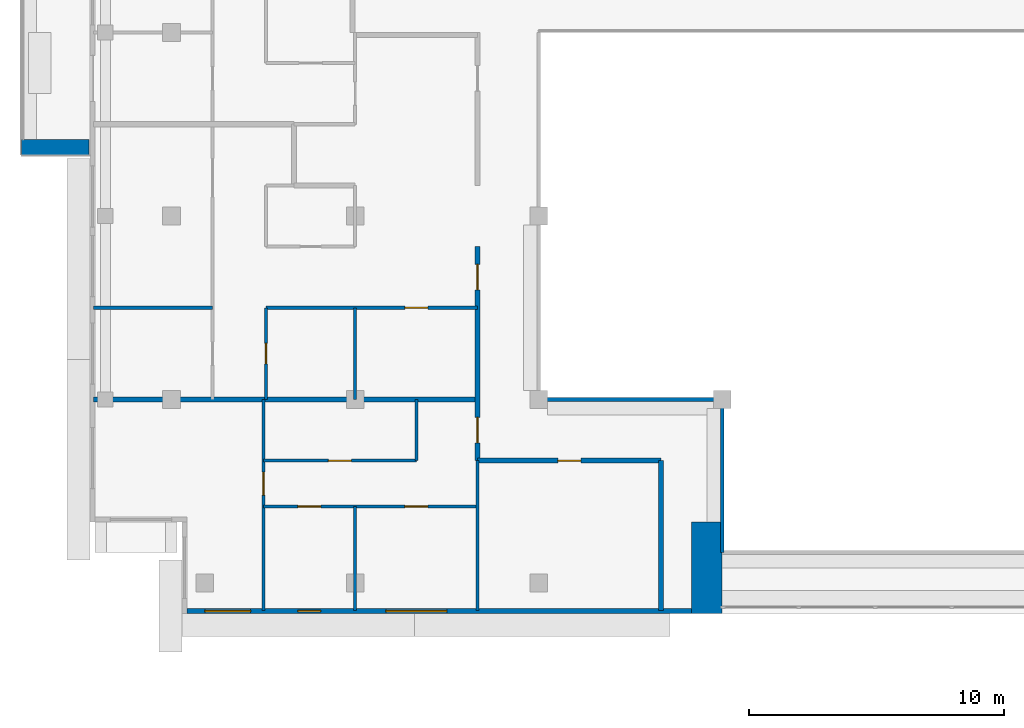
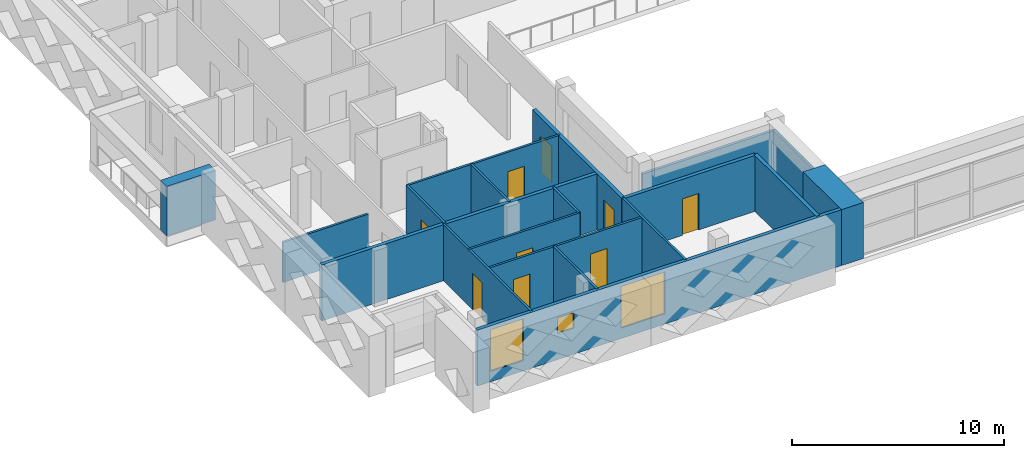
# One storey, part 6 of 19: 19 walls, 9 doors, 3 windows, 12 openings.
"""IFC4 building model written with IfcOpenShell, lengths in metres."""

from ifc_helpers import new_model, si_unit, direction, frame, frame_2d, origin, place, context, subcontext, project, spatial, rectangle, extrude, material, layer, layer_set, type_object, element, fill, save


model = new_model("IFC4")

# Units and contexts
model_context = context("Model", 3, precision=1e-05, world=origin(), true_north=direction((0.0, 1.0)))
body_context = subcontext(model_context, "Body", "Model", "MODEL_VIEW")
ifc_project = project(units=[si_unit("LENGTHUNIT", "METRE"), si_unit("AREAUNIT", "SQUARE_METRE"), si_unit("VOLUMEUNIT", "CUBIC_METRE"), si_unit("PLANEANGLEUNIT", "RADIAN"), si_unit("MASSUNIT", "GRAM", prefix="KILO")], contexts=[model_context])

# Site, building, storey
site_placement = place(None, origin())
site = spatial("IfcSite", under=ifc_project, at=site_placement, CompositionType="ELEMENT")
building_placement = place(site_placement, origin())
building = spatial("IfcBuilding", under=site, at=building_placement, Name="Saffron Iwan Residences", CompositionType="ELEMENT")
storey_placement = place(building_placement, frame((0.0, 0.0, 253.5)))
storey = spatial("IfcBuildingStorey", under=building, at=storey_placement, Name="L68", CompositionType="ELEMENT", Elevation=253.5)

# Walls
ifc_material_1 = material(Name="Fire-rated glazing", Category="glass")
ifc_layer_1 = layer(ifc_material_1, 0.14990234375)
ifc_layer_set_1 = layer_set([ifc_layer_1], Name="Fire-rated glazing")
wall_type_1 = type_object("IfcWallType", Name="Atrium glazed screen 150", PredefinedType="SOLIDWALL", material=ifc_layer_set_1)
wall_1_placement = place(storey_placement, frame((36.0, 48.0, 0.0), z_axis=(0.0, 0.0, 1.0), x_axis=(1.0, 0.0, 0.0)))
element("IfcWall", 1, at=wall_1_placement, inside=storey, type_object=wall_type_1, Name="W-L68-SCREEN-h48-36", PredefinedType="SOLIDWALL", context=body_context, shape_type="SweptSolid", body=[
    extrude(rectangle(XDim=7.199951171875, YDim=0.14990234375, at=frame_2d((3.60009765625, 0.0))), origin(), (0.0, 0.0, 1.0), 2.320068359375),
])
wall_2_placement = place(storey_placement, frame((43.199951171875, 42.0, 0.0), z_axis=(0.0, 0.0, 1.0), x_axis=(0.0, 1.0, 0.0)))
element("IfcWall", 2, at=wall_2_placement, inside=storey, type_object=wall_type_1, Name="W-L68-SCREEN-v43.2-42", PredefinedType="SOLIDWALL", context=body_context, shape_type="SweptSolid", body=[
    extrude(rectangle(XDim=6.0, YDim=0.14990234375, at=frame_2d((3.0, 0.0))), origin(), (0.0, 0.0, 1.0), 2.320068359375),
])
ifc_material_2 = material(Name="Concrete C50/60 white painted", Category="concrete")
ifc_layer_2 = layer(ifc_material_2, 0.60009765625)
ifc_layer_set_2 = layer_set([ifc_layer_2], Name="Concrete C50/60 white painted")
wall_type_2 = type_object("IfcWallType", Name="BALCONY FIN 600", PredefinedType="SOLIDWALL", material=ifc_layer_set_2)
wall_3_placement = place(storey_placement, frame((18.35009765625, 57.89990234375, 0.0), z_axis=(0.0, 0.0, 1.0), x_axis=(-1.0, 0.0, 0.0)))
element("IfcWall", 3, at=wall_3_placement, inside=storey, type_object=wall_type_2, Name="Balcony fin L68 F8-0b", PredefinedType="SOLIDWALL", context=body_context, shape_type="SweptSolid", body=[
    extrude(rectangle(XDim=2.650146484375, YDim=0.60009765625, at=frame_2d((1.3251953125, 0.0))), origin(), (0.0, 0.0, 1.0), 2.85009765625),
])

# Wall, openings, windows
ifc_material_3 = material(Name="Concrete C40/50", Category="concrete")
ifc_layer_3 = layer(ifc_material_3, 0.199951171875)
ifc_layer_set_3 = layer_set([ifc_layer_3], Name="Concrete C40/50")
wall_type_3 = type_object("IfcWallType", Name="EXTERNAL WALL 200", PredefinedType="SOLIDWALL", material=ifc_layer_set_3)
wall_4_placement = place(storey_placement, frame((22.199951171875, 39.699951171875, 0.0), z_axis=(0.0, 0.0, 1.0), x_axis=(1.0, 0.0, 0.0)))
wall_4 = element("IfcWall", 4, at=wall_4_placement, inside=storey, type_object=wall_type_3, Name="External wall L68 F11.0", PredefinedType="SOLIDWALL", context=body_context, shape_type="SweptSolid", body=[
    extrude(rectangle(XDim=19.800048828125, YDim=0.199951171875, at=frame_2d((9.89990234375, 0.0))), origin(), (0.0, 0.0, 1.0), 3.219970703125),
])
opening_1_placement = place(wall_4_placement, frame((0.699951171875, 0.0, 0.60009765625)))
opening_1 = element("IfcOpeningElement", 5, at=opening_1_placement, cuts=wall_4, Name="Opening W8", PredefinedType="OPENING", context=body_context, shape_type="SweptSolid", body=[
    extrude(rectangle(XDim=1.800048828125, YDim=2.39990234375, at=frame_2d((0.89990234375, 1.199951171875))), frame((0.0, 0.10986328125, 0.0), z_axis=(0.0, -1.0, 0.0), x_axis=(1.0, 0.0, 0.0)), (0.0, 0.0, 1.0), 0.219970703125),
])
opening_2_placement = place(wall_4_placement, frame((4.35009765625, 0.0, 1.5)))
opening_2 = element("IfcOpeningElement", 6, at=opening_2_placement, cuts=wall_4, Name="Opening W6", PredefinedType="OPENING", context=body_context, shape_type="SweptSolid", body=[
    extrude(rectangle(XDim=0.89990234375, YDim=0.89990234375, at=frame_2d((0.449951171875, 0.449951171875))), frame((0.0, 0.10986328125, 0.0), z_axis=(0.0, -1.0, 0.0), x_axis=(1.0, 0.0, 0.0)), (0.0, 0.0, 1.0), 0.219970703125),
])
opening_3_placement = place(wall_4_placement, frame((7.800048828125, 0.0, 0.60009765625)))
opening_3 = element("IfcOpeningElement", 7, at=opening_3_placement, cuts=wall_4, Name="Opening W1", PredefinedType="OPENING", context=body_context, shape_type="SweptSolid", body=[
    extrude(rectangle(XDim=2.39990234375, YDim=2.39990234375, at=frame_2d((1.199951171875, 1.199951171875))), frame((0.0, 0.10986328125, 0.0), z_axis=(0.0, -1.0, 0.0), x_axis=(1.0, 0.0, 0.0)), (0.0, 0.0, 1.0), 0.219970703125),
])
ifc_material_4 = material(Name="Clear glass, laminated double glazed", Category="glass")
window_type_1 = type_object("IfcWindowType", Name="WINDOW 1800 x 2400", PartitioningType="DOUBLE_PANEL_VERTICAL", PredefinedType="WINDOW", material=ifc_material_4)
window_1_placement = place(opening_1_placement, origin())
window_1 = element("IfcWindow", 8, at=window_1_placement, inside=storey, type_object=window_type_1, Name="Window L68 F11.0", OverallHeight=2.39990234375, OverallWidth=1.800048828125, PartitioningType="DOUBLE_PANEL_VERTICAL", PredefinedType="WINDOW", context=body_context, shape_type="SweptSolid", body=[
    extrude(rectangle(XDim=1.800048828125, YDim=2.39990234375, at=frame_2d((0.89990234375, 1.199951171875))), frame((0.0, 0.030029296875, 0.0), z_axis=(0.0, -1.0, 0.0), x_axis=(1.0, 0.0, 0.0)), (0.0, 0.0, 1.0), 0.06005859375),
])
fill(opening_1, window_1)
window_type_2 = type_object("IfcWindowType", Name="WINDOW 2400 x 2400", PartitioningType="DOUBLE_PANEL_VERTICAL", PredefinedType="WINDOW", material=ifc_material_4)
window_2_placement = place(opening_3_placement, origin())
window_2 = element("IfcWindow", 9, at=window_2_placement, inside=storey, type_object=window_type_2, Name="Window L68 F11.2", OverallHeight=2.39990234375, OverallWidth=2.39990234375, PartitioningType="DOUBLE_PANEL_VERTICAL", PredefinedType="WINDOW", context=body_context, shape_type="SweptSolid", body=[
    extrude(rectangle(XDim=2.39990234375, YDim=2.39990234375, at=frame_2d((1.199951171875, 1.199951171875))), frame((0.0, 0.030029296875, 0.0), z_axis=(0.0, -1.0, 0.0), x_axis=(1.0, 0.0, 0.0)), (0.0, 0.0, 1.0), 0.06005859375),
])
fill(opening_3, window_2)
window_type_3 = type_object("IfcWindowType", Name="WINDOW 900 x 900 BATH", PartitioningType="SINGLE_PANEL", PredefinedType="WINDOW", material=ifc_material_4)
window_3_placement = place(opening_2_placement, origin())
window_3 = element("IfcWindow", 10, at=window_3_placement, inside=storey, type_object=window_type_3, Name="Window L68 F11.1", OverallHeight=0.89990234375, OverallWidth=0.89990234375, PartitioningType="SINGLE_PANEL", PredefinedType="WINDOW", context=body_context, shape_type="SweptSolid", body=[
    extrude(rectangle(XDim=0.89990234375, YDim=0.89990234375, at=frame_2d((0.449951171875, 0.449951171875))), frame((0.0, 0.030029296875, 0.0), z_axis=(0.0, -1.0, 0.0), x_axis=(1.0, 0.0, 0.0)), (0.0, 0.0, 1.0), 0.06005859375),
])
fill(opening_2, window_3)

# Wall
ifc_material_5 = material(Name="Fire-rated gypsum board wall")
ifc_layer_4 = layer(ifc_material_5, 0.199951171875)
ifc_layer_set_4 = layer_set([ifc_layer_4], Name="Fire-rated gypsum board wall")
wall_type_4 = type_object("IfcWallType", Name="Flat demising wall 200", PredefinedType="SOLIDWALL", material=ifc_layer_set_4)
wall_5_placement = place(storey_placement, frame((18.52490234375, 48.0, 0.0), z_axis=(0.0, 0.0, 1.0), x_axis=(1.0, 0.0, 0.0)))
element("IfcWall", 11, at=wall_5_placement, inside=storey, type_object=wall_type_4, Name="W-L68-DEMISE-h48-18.525", PredefinedType="SOLIDWALL", context=body_context, shape_type="SweptSolid", body=[
    extrude(rectangle(XDim=15.0751953125, YDim=0.199951171875, at=frame_2d((7.53759765625, 0.0))), origin(), (0.0, 0.0, 1.0), 3.219970703125),
])

# Wall, openings, doors
ifc_material_6 = material(Name="Gypsum board partition")
ifc_layer_5 = layer(ifc_material_6, 0.1201171875)
ifc_layer_set_5 = layer_set([ifc_layer_5], Name="Gypsum board partition")
wall_type_5 = type_object("IfcWallType", Name="Flat partition 120", PredefinedType="PARTITIONING", material=ifc_layer_set_5)
wall_6_placement = place(storey_placement, frame((25.199951171875, 43.800048828125, 0.0), z_axis=(0.0, 0.0, 1.0), x_axis=(1.0, 0.0, 0.0)))
wall_6 = element("IfcWall", 12, at=wall_6_placement, inside=storey, type_object=wall_type_5, Name="W-L68-PART-h43.8-25.2", PredefinedType="PARTITIONING", context=body_context, shape_type="SweptSolid", body=[
    extrude(rectangle(XDim=8.400146484375, YDim=0.1201171875, at=frame_2d((4.2001953125, 0.0))), origin(), (0.0, 0.0, 1.0), 3.219970703125),
])
opening_4_placement = place(wall_6_placement, frame((1.35009765625, 0.0, 0.0)))
opening_4 = element("IfcOpeningElement", 13, at=opening_4_placement, cuts=wall_6, Name="Opening FD2", PredefinedType="OPENING", context=body_context, shape_type="SweptSolid", body=[
    extrude(rectangle(XDim=0.89990234375, YDim=2.10009765625, at=frame_2d((0.449951171875, 1.050048828125))), frame((0.0, 0.070068359375, 0.0), z_axis=(0.0, -1.0, 0.0), x_axis=(1.0, 0.0, 0.0)), (0.0, 0.0, 1.0), 0.14013671875),
])
opening_5_placement = place(wall_6_placement, frame((5.550048828125, 0.0, 0.0)))
opening_5 = element("IfcOpeningElement", 14, at=opening_5_placement, cuts=wall_6, Name="Opening FD2", PredefinedType="OPENING", context=body_context, shape_type="SweptSolid", body=[
    extrude(rectangle(XDim=0.89990234375, YDim=2.10009765625, at=frame_2d((0.449951171875, 1.050048828125))), frame((0.0, 0.070068359375, 0.0), z_axis=(0.0, -1.0, 0.0), x_axis=(1.0, 0.0, 0.0)), (0.0, 0.0, 1.0), 0.14013671875),
])
ifc_material_7 = material(Name="Timber door", Category="wood")
door_type_1 = type_object("IfcDoorType", Name="Flat door 900", OperationType="NOTDEFINED", PredefinedType="DOOR", material=ifc_material_7)
door_1_placement = place(opening_4_placement, origin())
door_1 = element("IfcDoor", 15, at=door_1_placement, inside=storey, type_object=door_type_1, Name="Door L68-003", OperationType="SINGLE_SWING_LEFT", OverallHeight=2.10009765625, OverallWidth=0.89990234375, PredefinedType="DOOR", context=body_context, shape_type="SweptSolid", body=[
    extrude(rectangle(XDim=0.89990234375, YDim=2.10009765625, at=frame_2d((0.449951171875, 1.050048828125))), frame((0.0, 0.02490234375, 0.0), z_axis=(0.0, -1.0, 0.0), x_axis=(1.0, 0.0, 0.0)), (0.0, 0.0, 1.0), 0.050048828125),
])
fill(opening_4, door_1)
door_2_placement = place(opening_5_placement, origin())
door_2 = element("IfcDoor", 16, at=door_2_placement, inside=storey, type_object=door_type_1, Name="Door L68-004", OperationType="SINGLE_SWING_LEFT", OverallHeight=2.10009765625, OverallWidth=0.89990234375, PredefinedType="DOOR", context=body_context, shape_type="SweptSolid", body=[
    extrude(rectangle(XDim=0.89990234375, YDim=2.10009765625, at=frame_2d((0.449951171875, 1.050048828125))), frame((0.0, 0.02490234375, 0.0), z_axis=(0.0, -1.0, 0.0), x_axis=(1.0, 0.0, 0.0)), (0.0, 0.0, 1.0), 0.050048828125),
])
fill(opening_5, door_2)

# Wall, opening, door
wall_7_placement = place(storey_placement, frame((25.199951171875, 45.60009765625, 0.0), z_axis=(0.0, 0.0, 1.0), x_axis=(1.0, 0.0, 0.0)))
wall_7 = element("IfcWall", 17, at=wall_7_placement, inside=storey, type_object=wall_type_5, Name="W-L68-PART-h45.6-25.2", PredefinedType="PARTITIONING", context=body_context, shape_type="SweptSolid", body=[
    extrude(rectangle(XDim=6.0, YDim=0.1201171875, at=frame_2d((3.0, 0.0))), origin(), (0.0, 0.0, 1.0), 3.219970703125),
])
opening_6_placement = place(wall_7_placement, frame((2.550048828125, 0.0, 0.0)))
opening_6 = element("IfcOpeningElement", 18, at=opening_6_placement, cuts=wall_7, Name="Opening FD2", PredefinedType="OPENING", context=body_context, shape_type="SweptSolid", body=[
    extrude(rectangle(XDim=0.89990234375, YDim=2.10009765625, at=frame_2d((0.449951171875, 1.050048828125))), frame((0.0, 0.070068359375, 0.0), z_axis=(0.0, -1.0, 0.0), x_axis=(1.0, 0.0, 0.0)), (0.0, 0.0, 1.0), 0.14013671875),
])
door_3_placement = place(opening_6_placement, origin())
door_3 = element("IfcDoor", 19, at=door_3_placement, inside=storey, type_object=door_type_1, Name="Door L68-005", OperationType="SINGLE_SWING_RIGHT", OverallHeight=2.10009765625, OverallWidth=0.89990234375, PredefinedType="DOOR", context=body_context, shape_type="SweptSolid", body=[
    extrude(rectangle(XDim=0.89990234375, YDim=2.10009765625, at=frame_2d((0.449951171875, 1.050048828125))), frame((0.0, 0.02490234375, 0.0), z_axis=(0.0, -1.0, 0.0), x_axis=(1.0, 0.0, 0.0)), (0.0, 0.0, 1.0), 0.050048828125),
])
fill(opening_6, door_3)

# Wall
wall_8_placement = place(storey_placement, frame((18.52490234375, 51.60009765625, 0.0), z_axis=(0.0, 0.0, 1.0), x_axis=(1.0, 0.0, 0.0)))
element("IfcWall", 20, at=wall_8_placement, inside=storey, type_object=wall_type_5, Name="W-L68-PART-h51.6-18.525", PredefinedType="PARTITIONING", context=body_context, shape_type="SweptSolid", body=[
    extrude(rectangle(XDim=4.675048828125, YDim=0.1201171875, at=frame_2d((2.33740234375, 0.0))), origin(), (0.0, 0.0, 1.0), 2.320068359375),
])

# Wall, opening, door
wall_9_placement = place(storey_placement, frame((25.300048828125, 51.60009765625, 0.0), z_axis=(0.0, 0.0, 1.0), x_axis=(1.0, 0.0, 0.0)))
wall_9 = element("IfcWall", 21, at=wall_9_placement, inside=storey, type_object=wall_type_5, Name="W-L68-PART-h51.6-25.3", PredefinedType="PARTITIONING", context=body_context, shape_type="SweptSolid", body=[
    extrude(rectangle(XDim=8.300048828125, YDim=0.1201171875, at=frame_2d((4.14990234375, 0.0))), origin(), (0.0, 0.0, 1.0), 3.219970703125),
])
opening_7_placement = place(wall_9_placement, frame((5.449951171875, 0.0, 0.0)))
opening_7 = element("IfcOpeningElement", 22, at=opening_7_placement, cuts=wall_9, Name="Opening FD2", PredefinedType="OPENING", context=body_context, shape_type="SweptSolid", body=[
    extrude(rectangle(XDim=0.89990234375, YDim=2.10009765625, at=frame_2d((0.449951171875, 1.050048828125))), frame((0.0, 0.070068359375, 0.0), z_axis=(0.0, -1.0, 0.0), x_axis=(1.0, 0.0, 0.0)), (0.0, 0.0, 1.0), 0.14013671875),
])
door_4_placement = place(opening_7_placement, origin())
door_4 = element("IfcDoor", 23, at=door_4_placement, inside=storey, type_object=door_type_1, Name="Door L68-012", OperationType="SINGLE_SWING_LEFT", OverallHeight=2.10009765625, OverallWidth=0.89990234375, PredefinedType="DOOR", context=body_context, shape_type="SweptSolid", body=[
    extrude(rectangle(XDim=0.89990234375, YDim=2.10009765625, at=frame_2d((0.449951171875, 1.050048828125))), frame((0.0, 0.02490234375, 0.0), z_axis=(0.0, -1.0, 0.0), x_axis=(1.0, 0.0, 0.0)), (0.0, 0.0, 1.0), 0.050048828125),
])
fill(opening_7, door_4)

wall_10_placement = place(storey_placement, frame((25.199951171875, 39.72509765625, 0.0), z_axis=(0.0, 0.0, 1.0), x_axis=(0.0, 1.0, 0.0)))
wall_10 = element("IfcWall", 24, at=wall_10_placement, inside=storey, type_object=wall_type_5, Name="W-L68-PART-v25.2-39.725", PredefinedType="PARTITIONING", context=body_context, shape_type="SweptSolid", body=[
    extrude(rectangle(XDim=8.27490234375, YDim=0.1201171875, at=frame_2d((4.137451171875, 0.0))), origin(), (0.0, 0.0, 1.0), 3.219970703125),
])
opening_8_placement = place(wall_10_placement, frame((4.52490234375, 0.0, 0.0)))
opening_8 = element("IfcOpeningElement", 25, at=opening_8_placement, cuts=wall_10, Name="Opening FD2", PredefinedType="OPENING", context=body_context, shape_type="SweptSolid", body=[
    extrude(rectangle(XDim=0.89990234375, YDim=2.10009765625, at=frame_2d((0.449951171875, 1.050048828125))), frame((0.0, 0.070068359375, 0.0), z_axis=(0.0, -1.0, 0.0), x_axis=(1.0, 0.0, 0.0)), (0.0, 0.0, 1.0), 0.14013671875),
])
door_5_placement = place(opening_8_placement, origin())
door_5 = element("IfcDoor", 26, at=door_5_placement, inside=storey, type_object=door_type_1, Name="Door L68-002", OperationType="SINGLE_SWING_RIGHT", OverallHeight=2.10009765625, OverallWidth=0.89990234375, PredefinedType="DOOR", context=body_context, shape_type="SweptSolid", body=[
    extrude(rectangle(XDim=0.89990234375, YDim=2.10009765625, at=frame_2d((0.449951171875, 1.050048828125))), frame((0.0, 0.02490234375, 0.0), z_axis=(0.0, -1.0, 0.0), x_axis=(1.0, 0.0, 0.0)), (0.0, 0.0, 1.0), 0.050048828125),
])
fill(opening_8, door_5)

wall_11_placement = place(storey_placement, frame((25.300048828125, 48.0, 0.0), z_axis=(0.0, 0.0, 1.0), x_axis=(0.0, 1.0, 0.0)))
wall_11 = element("IfcWall", 27, at=wall_11_placement, inside=storey, type_object=wall_type_5, Name="W-L68-PART-v25.3-48", PredefinedType="PARTITIONING", context=body_context, shape_type="SweptSolid", body=[
    extrude(rectangle(XDim=3.60009765625, YDim=0.1201171875, at=frame_2d((1.800048828125, 0.0))), origin(), (0.0, 0.0, 1.0), 3.219970703125),
])
opening_9_placement = place(wall_11_placement, frame((1.39990234375, 0.0, 0.0)))
opening_9 = element("IfcOpeningElement", 28, at=opening_9_placement, cuts=wall_11, Name="Opening FD3", PredefinedType="OPENING", context=body_context, shape_type="SweptSolid", body=[
    extrude(rectangle(XDim=0.800048828125, YDim=2.10009765625, at=frame_2d((0.39990234375, 1.050048828125))), frame((0.0, 0.070068359375, 0.0), z_axis=(0.0, -1.0, 0.0), x_axis=(1.0, 0.0, 0.0)), (0.0, 0.0, 1.0), 0.14013671875),
])
door_type_2 = type_object("IfcDoorType", Name="Bathroom door 800", OperationType="NOTDEFINED", PredefinedType="DOOR", material=ifc_material_7)
door_6_placement = place(opening_9_placement, origin())
door_6 = element("IfcDoor", 29, at=door_6_placement, inside=storey, type_object=door_type_2, Name="Door L68-010", OperationType="SINGLE_SWING_LEFT", OverallHeight=2.10009765625, OverallWidth=0.800048828125, PredefinedType="DOOR", context=body_context, shape_type="SweptSolid", body=[
    extrude(rectangle(XDim=0.800048828125, YDim=2.10009765625, at=frame_2d((0.39990234375, 1.050048828125))), frame((0.0, 0.02490234375, 0.0), z_axis=(0.0, -1.0, 0.0), x_axis=(1.0, 0.0, 0.0)), (0.0, 0.0, 1.0), 0.050048828125),
])
fill(opening_9, door_6)

# Walls
wall_12_placement = place(storey_placement, frame((28.800048828125, 39.72509765625, 0.0), z_axis=(0.0, 0.0, 1.0), x_axis=(0.0, 1.0, 0.0)))
element("IfcWall", 30, at=wall_12_placement, inside=storey, type_object=wall_type_5, Name="W-L68-PART-v28.8-39.725", PredefinedType="PARTITIONING", context=body_context, shape_type="SweptSolid", body=[
    extrude(rectangle(XDim=4.074951171875, YDim=0.1201171875, at=frame_2d((2.03759765625, 0.0))), origin(), (0.0, 0.0, 1.0), 3.219970703125),
])
wall_13_placement = place(storey_placement, frame((28.800048828125, 48.0, 0.0), z_axis=(0.0, 0.0, 1.0), x_axis=(0.0, 1.0, 0.0)))
element("IfcWall", 31, at=wall_13_placement, inside=storey, type_object=wall_type_5, Name="W-L68-PART-v28.8-48", PredefinedType="PARTITIONING", context=body_context, shape_type="SweptSolid", body=[
    extrude(rectangle(XDim=3.60009765625, YDim=0.1201171875, at=frame_2d((1.800048828125, 0.0))), origin(), (0.0, 0.0, 1.0), 3.219970703125),
])
wall_14_placement = place(storey_placement, frame((31.199951171875, 45.60009765625, 0.0), z_axis=(0.0, 0.0, 1.0), x_axis=(0.0, 1.0, 0.0)))
element("IfcWall", 32, at=wall_14_placement, inside=storey, type_object=wall_type_5, Name="W-L68-PART-v31.2-45.6", PredefinedType="PARTITIONING", context=body_context, shape_type="SweptSolid", body=[
    extrude(rectangle(XDim=2.39990234375, YDim=0.1201171875, at=frame_2d((1.199951171875, 0.0))), origin(), (0.0, 0.0, 1.0), 3.219970703125),
])
wall_15_placement = place(storey_placement, frame((33.60009765625, 39.72509765625, 0.0), z_axis=(0.0, 0.0, 1.0), x_axis=(0.0, 1.0, 0.0)))
element("IfcWall", 33, at=wall_15_placement, inside=storey, type_object=wall_type_5, Name="W-L68-PART-v33.6-39.725", PredefinedType="PARTITIONING", context=body_context, shape_type="SweptSolid", body=[
    extrude(rectangle(XDim=5.875, YDim=0.1201171875, at=frame_2d((2.9375, 0.0))), origin(), (0.0, 0.0, 1.0), 3.219970703125),
])

# Wall, opening, door
ifc_layer_6 = layer(ifc_material_5, 0.199951171875)
ifc_layer_set_6 = layer_set([ifc_layer_6], Name="Fire-rated gypsum board wall")
wall_type_6 = type_object("IfcWallType", Name="Gallery wall 200", PredefinedType="SOLIDWALL", material=ifc_layer_set_6)
wall_16_placement = place(storey_placement, frame((33.60009765625, 45.60009765625, 0.0), z_axis=(0.0, 0.0, 1.0), x_axis=(1.0, 0.0, 0.0)))
wall_16 = element("IfcWall", 34, at=wall_16_placement, inside=storey, type_object=wall_type_6, Name="W-L68-CORR-h45.6-33.6", PredefinedType="SOLIDWALL", context=body_context, shape_type="SweptSolid", body=[
    extrude(rectangle(XDim=7.199951171875, YDim=0.199951171875, at=frame_2d((3.60009765625, 0.0))), origin(), (0.0, 0.0, 1.0), 3.219970703125),
])
opening_10_placement = place(wall_16_placement, frame((3.14990234375, 0.0, 0.0)))
opening_10 = element("IfcOpeningElement", 35, at=opening_10_placement, cuts=wall_16, Name="Opening FD2", PredefinedType="OPENING", context=body_context, shape_type="SweptSolid", body=[
    extrude(rectangle(XDim=0.89990234375, YDim=2.10009765625, at=frame_2d((0.449951171875, 1.050048828125))), frame((0.0, 0.10986328125, 0.0), z_axis=(0.0, -1.0, 0.0), x_axis=(1.0, 0.0, 0.0)), (0.0, 0.0, 1.0), 0.219970703125),
])
door_7_placement = place(opening_10_placement, origin())
door_7 = element("IfcDoor", 36, at=door_7_placement, inside=storey, type_object=door_type_1, Name="Door L68-006", OperationType="SINGLE_SWING_LEFT", OverallHeight=2.10009765625, OverallWidth=0.89990234375, PredefinedType="DOOR", context=body_context, shape_type="SweptSolid", body=[
    extrude(rectangle(XDim=0.89990234375, YDim=2.10009765625, at=frame_2d((0.449951171875, 1.050048828125))), frame((0.0, 0.02490234375, 0.0), z_axis=(0.0, -1.0, 0.0), x_axis=(1.0, 0.0, 0.0)), (0.0, 0.0, 1.0), 0.050048828125),
])
fill(opening_10, door_7)

# Wall, openings, doors
wall_17_placement = place(storey_placement, frame((33.60009765625, 45.60009765625, 0.0), z_axis=(0.0, 0.0, 1.0), x_axis=(0.0, 1.0, 0.0)))
wall_17 = element("IfcWall", 37, at=wall_17_placement, inside=storey, type_object=wall_type_6, Name="W-L68-CORR-v33.6-45.6", PredefinedType="SOLIDWALL", context=body_context, shape_type="SweptSolid", body=[
    extrude(rectangle(XDim=8.39990234375, YDim=0.199951171875, at=frame_2d((4.199951171875, 0.0))), origin(), (0.0, 0.0, 1.0), 3.219970703125),
])
opening_11_placement = place(wall_17_placement, frame((0.699951171875, 0.0, 0.0)))
opening_11 = element("IfcOpeningElement", 38, at=opening_11_placement, cuts=wall_17, Name="Opening FD1", PredefinedType="OPENING", context=body_context, shape_type="SweptSolid", body=[
    extrude(rectangle(XDim=1.0, YDim=2.10009765625, at=frame_2d((0.5, 1.050048828125))), frame((0.0, 0.10986328125, 0.0), z_axis=(0.0, -1.0, 0.0), x_axis=(1.0, 0.0, 0.0)), (0.0, 0.0, 1.0), 0.219970703125),
])
opening_12_placement = place(wall_17_placement, frame((6.699951171875, 0.0, 0.0)))
opening_12 = element("IfcOpeningElement", 39, at=opening_12_placement, cuts=wall_17, Name="Opening FD1", PredefinedType="OPENING", context=body_context, shape_type="SweptSolid", body=[
    extrude(rectangle(XDim=1.0, YDim=2.10009765625, at=frame_2d((0.5, 1.050048828125))), frame((0.0, 0.10986328125, 0.0), z_axis=(0.0, -1.0, 0.0), x_axis=(1.0, 0.0, 0.0)), (0.0, 0.0, 1.0), 0.219970703125),
])
ifc_material_8 = material(Name="Fire-rated timber door", Category="wood")
door_type_3 = type_object("IfcDoorType", Name="FD30S flat entrance door 1000", OperationType="NOTDEFINED", PredefinedType="DOOR", material=ifc_material_8)
door_8_placement = place(opening_11_placement, origin())
door_8 = element("IfcDoor", 40, at=door_8_placement, inside=storey, type_object=door_type_3, Name="Door L68-001", OperationType="SINGLE_SWING_LEFT", OverallHeight=2.10009765625, OverallWidth=1.0, PredefinedType="DOOR", context=body_context, shape_type="SweptSolid", body=[
    extrude(rectangle(XDim=1.0, YDim=2.10009765625, at=frame_2d((0.5, 1.050048828125))), frame((0.0, 0.02490234375, 0.0), z_axis=(0.0, -1.0, 0.0), x_axis=(1.0, 0.0, 0.0)), (0.0, 0.0, 1.0), 0.050048828125),
])
fill(opening_11, door_8)
door_9_placement = place(opening_12_placement, origin())
door_9 = element("IfcDoor", 41, at=door_9_placement, inside=storey, type_object=door_type_3, Name="Door L68-007", OperationType="SINGLE_SWING_LEFT", OverallHeight=2.10009765625, OverallWidth=1.0, PredefinedType="DOOR", context=body_context, shape_type="SweptSolid", body=[
    extrude(rectangle(XDim=1.0, YDim=2.10009765625, at=frame_2d((0.5, 1.050048828125))), frame((0.0, 0.02490234375, 0.0), z_axis=(0.0, -1.0, 0.0), x_axis=(1.0, 0.0, 0.0)), (0.0, 0.0, 1.0), 0.050048828125),
])
fill(opening_12, door_9)

# Walls
wall_18_placement = place(storey_placement, frame((40.800048828125, 39.72509765625, 0.0), z_axis=(0.0, 0.0, 1.0), x_axis=(0.0, 1.0, 0.0)))
element("IfcWall", 42, at=wall_18_placement, inside=storey, type_object=wall_type_6, Name="W-L68-CORR-v40.8-39.725", PredefinedType="SOLIDWALL", context=body_context, shape_type="SweptSolid", body=[
    extrude(rectangle(XDim=5.875, YDim=0.199951171875, at=frame_2d((2.9375, 0.0))), origin(), (0.0, 0.0, 1.0), 3.219970703125),
])
ifc_layer_7 = layer(ifc_material_3, 1.199951171875)
ifc_layer_set_7 = layer_set([ifc_layer_7], Name="Concrete C40/50")
wall_type_7 = type_object("IfcWallType", Name="WALL IWAN PIER 1200 C40/50 3220 HIGH", PredefinedType="SHEAR", material=ifc_layer_set_7)
wall_19_placement = place(storey_placement, frame((42.60009765625, 39.60009765625, 0.0), z_axis=(0.0, 0.0, 1.0), x_axis=(0.0, 1.0, 0.0)))
element("IfcWall", 43, at=wall_19_placement, inside=storey, type_object=wall_type_7, Name="IWAN PIER", PredefinedType="SHEAR", context=body_context, shape_type="SweptSolid", body=[
    extrude(rectangle(XDim=3.599853515625, YDim=1.199951171875, at=frame_2d((1.7998046875, 0.0))), origin(), (0.0, 0.0, 1.0), 3.219970703125),
])

save(model, "model.ifc")
